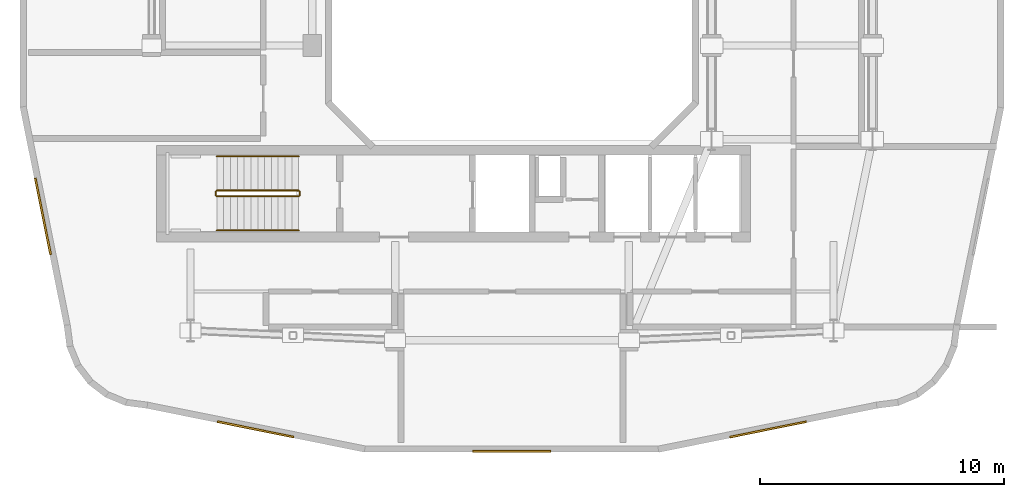
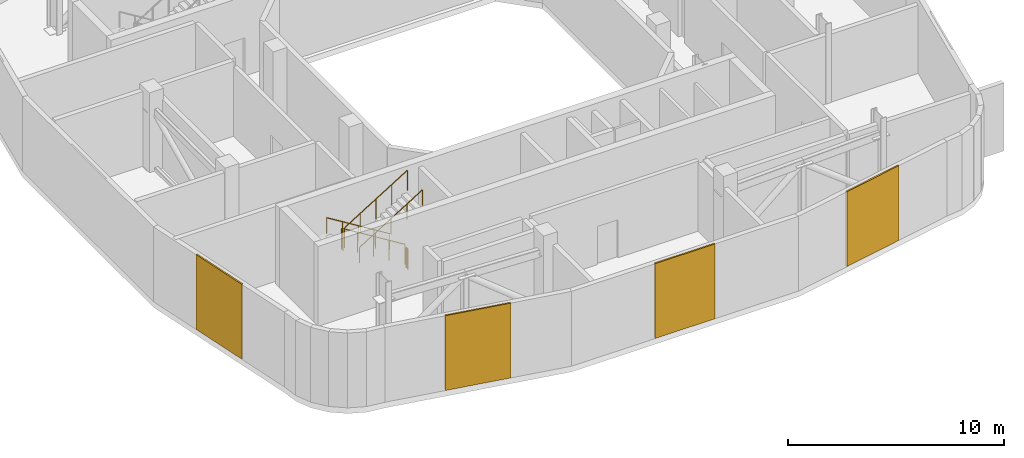
# One storey, part 7 of 9: 6 railings, 4 coverings.
"""IFC4 building model written with IfcOpenShell, lengths in metres."""

from ifc_helpers import new_model, si_unit, derived_unit, direction, frame, origin, origin_2d, place, context, subcontext, project, spatial, rectangle, circle, extrude, material, layer, layer_set, type_object, element, save


model = new_model("IFC4")

# Units and contexts
model_context = context("Model", 3, precision=1e-05, world=origin(), true_north=direction((0.0, 1.0)))
body_context = subcontext(model_context, "Body", "Model", "MODEL_VIEW")
ifc_project = project(units=[si_unit("LENGTHUNIT", "METRE"), si_unit("AREAUNIT", "SQUARE_METRE"), si_unit("VOLUMEUNIT", "CUBIC_METRE"), si_unit("PLANEANGLEUNIT", "RADIAN"), si_unit("MASSUNIT", "GRAM", prefix="KILO"), derived_unit("THERMALTRANSMITTANCEUNIT", [(si_unit("POWERUNIT", "WATT"), 1), (si_unit("LENGTHUNIT", "METRE"), -2), (si_unit("THERMODYNAMICTEMPERATUREUNIT", "KELVIN"), -1)])], contexts=[model_context])

# Site, building, storey
site_placement = place(None, origin())
site = spatial("IfcSite", under=ifc_project, at=site_placement, CompositionType="ELEMENT")
building_placement = place(site_placement, origin())
building = spatial("IfcBuilding", under=site, at=building_placement, Name="Kivonza Crest Hotel", CompositionType="ELEMENT")
storey_placement = place(building_placement, frame((0.0, 0.0, 173.0)))
storey = spatial("IfcBuildingStorey", under=building, at=storey_placement, Name="L47", CompositionType="ELEMENT", Elevation=173.0)

# Coverings
ifc_material_1 = material(Name="Anodised bronze aluminium acoustic louvre cladding", Category="aluminium")
ifc_layer = layer(ifc_material_1, 0.080078125)
ifc_layer_set = layer_set([ifc_layer], Name="Anodised bronze aluminium acoustic louvre cladding")
covering_type = type_object("IfcCoveringType", Name="CV-CLAD-80", PredefinedType="CLADDING", material=ifc_layer_set)
for number, where, z_axis, x_axis, name in (
    (1, (10.468994140625, 5.740966796875, 0.0), (0.0, 0.0, 1.0), (0.980340110326, -0.197315149153, 0.0), "L47 T1 terracotta baguette and louvre screen 7"),
    (2, (20.98291015625, 4.840087890625, 0.0), (0.0, 0.0, 1.0), (1.0, 0.0, 0.0), "L47 T1 terracotta baguette and louvre screen 8"),
    (3, (31.513916015625, 5.738037109375, 0.0), (0.0, 0.0, 1.0), (0.980340110326, 0.197315149153, 0.0), "L47 T1 terracotta baguette and louvre screen 9"),
    (4, (1.738037109375, 14.486083984375, 0.0), (0.0, 0.0, 1.0), (0.197315149153, -0.980340110326, 0.0), "L47 T1 terracotta baguette and louvre screen 36"),
):
    element("IfcCovering", number, at=place(storey_placement, frame(where, z_axis=z_axis, x_axis=x_axis)), inside=storey, type_object=covering_type, Name=name, PredefinedType="CLADDING", context=body_context, shape_type="SweptSolid", body=[
        extrude(rectangle(XDim=3.199951171875, YDim=0.080078125, at=origin_2d()), origin(), (0.0, 0.0, 1.0), 4.219970703125),
    ])

# Railings
ifc_material_2 = material(Name="Brushed stainless steel handrail", Category="steel")
railing_type_1 = type_object("IfcRailingType", Name="RL-HAND-900", PredefinedType="HANDRAIL", material=ifc_material_2)
railing_1_placement = place(storey_placement, frame((12.239990234375, 16.949951171875, 0.173095703125)))
element("IfcRailing", 5, at=railing_1_placement, inside=storey, type_object=railing_type_1, Name="L47 ST-T1-S stair handrail 1", PredefinedType="HANDRAIL", context=body_context, shape_type="SweptSolid", body=[
    extrude(circle(Radius=0.02392578125, at=origin_2d()), frame((0.0, 0.0, 0.8759765625), z_axis=(-0.850623216509, 0.0, 0.525775754039), x_axis=(0.0, -1.0, 0.0)), (0.0, 0.0, 1.0), 3.9501953125),
    extrude(circle(Radius=0.02099609375, at=origin_2d()), origin(), (0.0, 0.0, 1.0), 0.851806640625),
    extrude(circle(Radius=0.02099609375, at=origin_2d()), frame((-0.840087890625, 0.0, 0.519287109375)), (0.0, 0.0, 1.0), 0.851806640625),
    extrude(circle(Radius=0.02099609375, at=origin_2d()), frame((-1.68017578125, 0.0, 1.03857421875)), (0.0, 0.0, 1.0), 0.851806640625),
    extrude(circle(Radius=0.02099609375, at=origin_2d()), frame((-2.52001953125, 0.0, 1.5576171875)), (0.0, 0.0, 1.0), 0.851806640625),
    extrude(circle(Radius=0.02099609375, at=origin_2d()), frame((-3.360107421875, 0.0, 2.076904296875)), (0.0, 0.0, 1.0), 0.851806640625),
])
railing_2_placement = place(storey_placement, frame((8.8798828125, 13.909912109375, 2.423095703125)))
element("IfcRailing", 6, at=railing_2_placement, inside=storey, type_object=railing_type_1, Name="L47 ST-T1-S stair handrail 2", PredefinedType="HANDRAIL", context=body_context, shape_type="SweptSolid", body=[
    extrude(circle(Radius=0.02392578125, at=origin_2d()), frame((0.0, 0.0, 0.8759765625), z_axis=(0.850623216509, 0.0, 0.525775754039), x_axis=(0.0, 1.0, 0.0)), (0.0, 0.0, 1.0), 3.9501953125),
    extrude(circle(Radius=0.02099609375, at=origin_2d()), origin(), (0.0, 0.0, 1.0), 0.851806640625),
    extrude(circle(Radius=0.02099609375, at=origin_2d()), frame((0.840087890625, 0.0, 0.519287109375)), (0.0, 0.0, 1.0), 0.851806640625),
    extrude(circle(Radius=0.02099609375, at=origin_2d()), frame((1.68017578125, 0.0, 1.03857421875)), (0.0, 0.0, 1.0), 0.851806640625),
    extrude(circle(Radius=0.02099609375, at=origin_2d()), frame((2.52001953125, 0.0, 1.5576171875)), (0.0, 0.0, 1.0), 0.851806640625),
    extrude(circle(Radius=0.02099609375, at=origin_2d()), frame((3.360107421875, 0.0, 2.076904296875)), (0.0, 0.0, 1.0), 0.851806640625),
])
ifc_material_3 = material(Name="Painted steel balustrade", Category="steel")
railing_type_2 = type_object("IfcRailingType", Name="RL-STAIR-1150", PredefinedType="BALUSTRADE", material=ifc_material_3)
railing_3_placement = place(storey_placement, frame((12.239990234375, 15.550048828125, 0.173095703125)))
element("IfcRailing", 7, at=railing_3_placement, inside=storey, type_object=railing_type_2, Name="L47 ST-T1-S stair guard 1", PredefinedType="BALUSTRADE", context=body_context, shape_type="SweptSolid", body=[
    extrude(circle(Radius=0.02392578125, at=origin_2d()), frame((0.0, 0.0, 1.1259765625), z_axis=(-0.850623216509, 0.0, 0.525775754039), x_axis=(0.0, -1.0, 0.0)), (0.0, 0.0, 1.0), 3.9501953125),
    extrude(circle(Radius=0.02099609375, at=origin_2d()), origin(), (0.0, 0.0, 1.0), 1.101806640625),
    extrude(circle(Radius=0.02099609375, at=origin_2d()), frame((-0.840087890625, 0.0, 0.519287109375)), (0.0, 0.0, 1.0), 1.101806640625),
    extrude(circle(Radius=0.02099609375, at=origin_2d()), frame((-1.68017578125, 0.0, 1.03857421875)), (0.0, 0.0, 1.0), 1.101806640625),
    extrude(circle(Radius=0.02099609375, at=origin_2d()), frame((-2.52001953125, 0.0, 1.5576171875)), (0.0, 0.0, 1.0), 1.101806640625),
    extrude(circle(Radius=0.02099609375, at=origin_2d()), frame((-3.360107421875, 0.0, 2.076904296875)), (0.0, 0.0, 1.0), 1.101806640625),
])
railing_4_placement = place(storey_placement, frame((8.830078125, 15.5, 2.25)))
element("IfcRailing", 8, at=railing_4_placement, inside=storey, type_object=railing_type_2, Name="L47 ST-T1-S stair guard 2", PredefinedType="BALUSTRADE", context=body_context, shape_type="SweptSolid", body=[
    extrude(circle(Radius=0.02392578125, at=origin_2d()), frame((0.0, 0.0, 1.1259765625), z_axis=(0.0, -1.0, 0.0), x_axis=(1.0, 0.0, 0.0)), (0.0, 0.0, 1.0), 0.139892578125),
    extrude(circle(Radius=0.02099609375, at=origin_2d()), origin(), (0.0, 0.0, 1.0), 1.101806640625),
    extrude(circle(Radius=0.02099609375, at=origin_2d()), frame((0.0, -0.139892578125, 0.0)), (0.0, 0.0, 1.0), 1.101806640625),
])
railing_5_placement = place(storey_placement, frame((8.8798828125, 15.31005859375, 2.423095703125)))
element("IfcRailing", 9, at=railing_5_placement, inside=storey, type_object=railing_type_2, Name="L47 ST-T1-S stair guard 3", PredefinedType="BALUSTRADE", context=body_context, shape_type="SweptSolid", body=[
    extrude(circle(Radius=0.02392578125, at=origin_2d()), frame((0.0, 0.0, 1.1259765625), z_axis=(0.850623216509, 0.0, 0.525775754039), x_axis=(0.0, 1.0, 0.0)), (0.0, 0.0, 1.0), 3.9501953125),
    extrude(circle(Radius=0.02099609375, at=origin_2d()), origin(), (0.0, 0.0, 1.0), 1.101806640625),
    extrude(circle(Radius=0.02099609375, at=origin_2d()), frame((0.840087890625, 0.0, 0.519287109375)), (0.0, 0.0, 1.0), 1.101806640625),
    extrude(circle(Radius=0.02099609375, at=origin_2d()), frame((1.68017578125, 0.0, 1.03857421875)), (0.0, 0.0, 1.0), 1.101806640625),
    extrude(circle(Radius=0.02099609375, at=origin_2d()), frame((2.52001953125, 0.0, 1.5576171875)), (0.0, 0.0, 1.0), 1.101806640625),
    extrude(circle(Radius=0.02099609375, at=origin_2d()), frame((3.360107421875, 0.0, 2.076904296875)), (0.0, 0.0, 1.0), 1.101806640625),
])
railing_6_placement = place(storey_placement, frame((12.2900390625, 15.5, 0.0)))
element("IfcRailing", 10, at=railing_6_placement, inside=storey, type_object=railing_type_2, Name="L47 ST-T1-S stair guard 4", PredefinedType="BALUSTRADE", context=body_context, shape_type="SweptSolid", body=[
    extrude(circle(Radius=0.02392578125, at=origin_2d()), frame((0.0, 0.0, 1.1259765625), z_axis=(0.0, -1.0, 0.0), x_axis=(1.0, 0.0, 0.0)), (0.0, 0.0, 1.0), 0.139892578125),
    extrude(circle(Radius=0.02099609375, at=origin_2d()), origin(), (0.0, 0.0, 1.0), 1.101806640625),
    extrude(circle(Radius=0.02099609375, at=origin_2d()), frame((0.0, -0.139892578125, 0.0)), (0.0, 0.0, 1.0), 1.101806640625),
])

save(model, "model.ifc")
